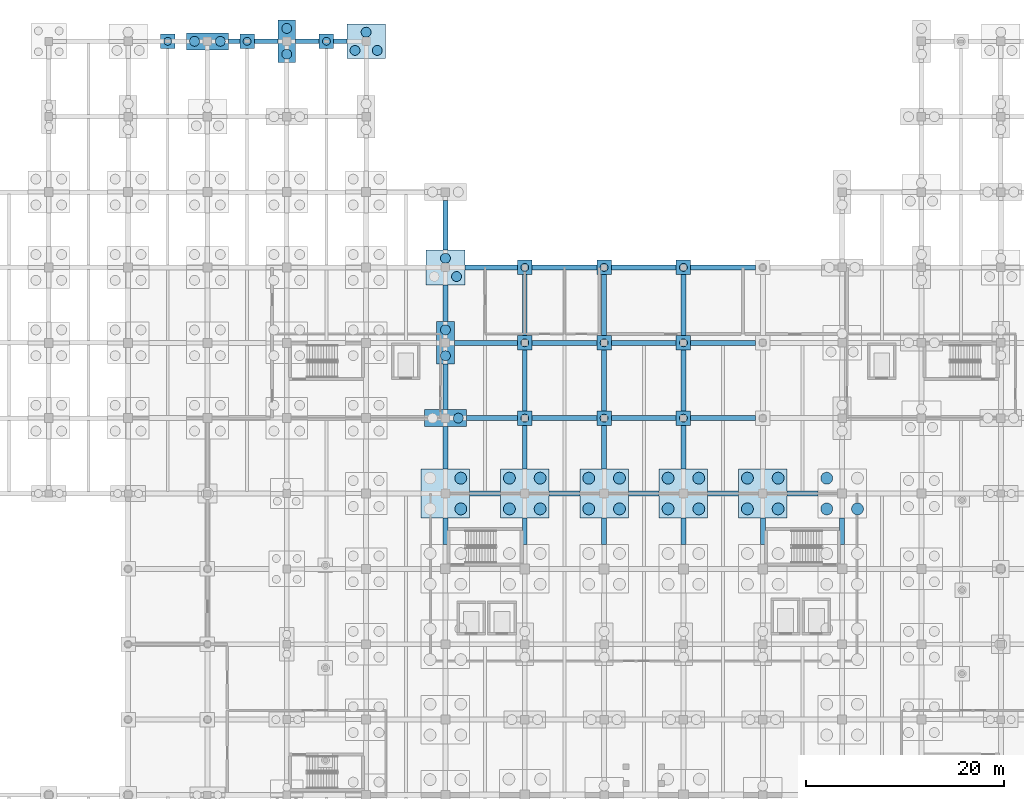
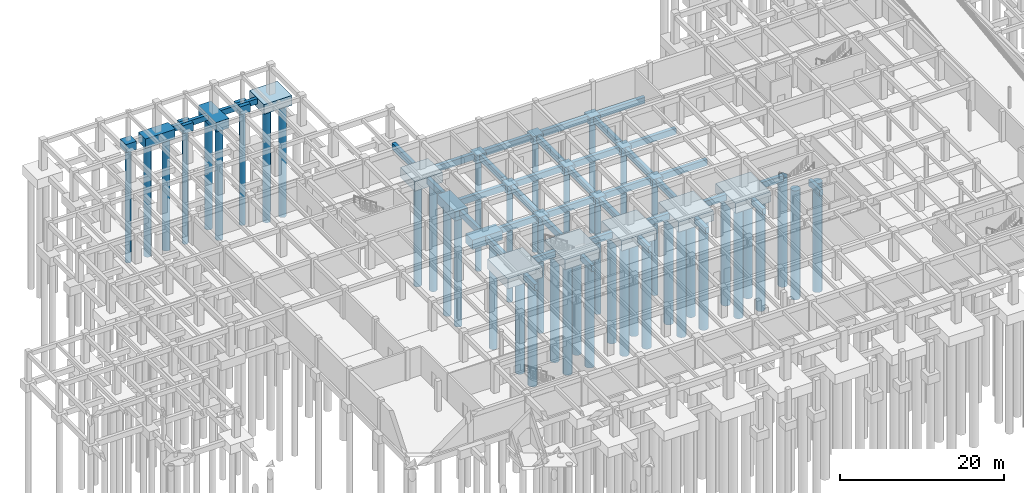
# One storey, part 10 of 49: 61 footings, 45 piles.
"""IFC4 building model written with IfcOpenShell, lengths in metres."""

from ifc_helpers import new_model, si_unit, direction, frame, origin, origin_2d, place, context, subcontext, project, spatial, rectangle, circle, extrude, material, layer, layer_set, material_profile, profile_set, type_object, element, save


model = new_model("IFC4")

# Units and contexts
model_context = context("Model", 3, precision=1e-05, world=origin(), true_north=direction((0.0, 1.0)))
body_context = subcontext(model_context, "Body", "Model", "MODEL_VIEW")
ifc_project = project(units=[si_unit("LENGTHUNIT", "METRE"), si_unit("AREAUNIT", "SQUARE_METRE"), si_unit("VOLUMEUNIT", "CUBIC_METRE"), si_unit("PLANEANGLEUNIT", "RADIAN"), si_unit("MASSUNIT", "GRAM", prefix="KILO")], contexts=[model_context])

# Site, building, storey
site_placement = place(None, origin())
site = spatial("IfcSite", under=ifc_project, at=site_placement, CompositionType="ELEMENT")
building_placement = place(site_placement, origin())
building = spatial("IfcBuilding", under=site, at=building_placement, Name="Zantavel Square City Hall", CompositionType="ELEMENT")
storey_placement = place(building_placement, frame((0.0, 0.0, -4.5)))
storey = spatial("IfcBuildingStorey", under=building, at=storey_placement, Name="B1", CompositionType="ELEMENT", Elevation=-4.5)

# Piles
ifc_material_1 = material(Name="Concrete C35/45", Category="concrete")
ifc_material_profile_1 = material_profile(ifc_material_1, circle(Radius=0.5, at=origin_2d()), Name="PILE D1000")
ifc_profile_set_1 = profile_set([ifc_material_profile_1], Name="Concrete C35/45")
pile_type_1 = type_object("IfcPileType", Name="Bored Pile D1000 Concrete C35/45", PredefinedType="BORED", material=ifc_profile_set_1)
for number, where, z_axis, x_axis, name in (
    (1, (38.699951171875, 114.0, -1.300048828125), (0.0, 0.0, -1.0), (1.0, 0.0, 0.0), "Bored Pile FDN-PL-0400-1140-1"),
    (2, (41.300048828125, 114.0, -1.300048828125), (0.0, 0.0, -1.0), (1.0, 0.0, 0.0), "Bored Pile FDN-PL-0400-1140-2"),
    (3, (48.0, 112.699951171875, -1.300048828125), (0.0, 0.0, -1.0), (1.0, 0.0, 0.0), "Bored Pile FDN-PL-0480-1140-1"),
    (4, (48.0, 115.300048828125, -1.300048828125), (0.0, 0.0, -1.0), (1.0, 0.0, 0.0), "Bored Pile FDN-PL-0480-1140-2"),
):
    element("IfcPile", number, at=place(storey_placement, frame(where, z_axis=z_axis, x_axis=x_axis)), inside=storey, type_object=pile_type_1, Name=name, PredefinedType="BORED", context=body_context, shape_type="SweptSolid", body=[
        extrude(circle(Radius=0.5, at=origin_2d()), origin(), (0.0, 0.0, 1.0), 16.699951171875),
    ])
for number, where, z_axis, x_axis, name in (
    (5, (54.8798828125, 113.080078125, -1.35009765625), (0.0, 0.0, -1.0), (1.0, 0.0, 0.0), "Bored Pile FDN-PL-0560-1140-1"),
    (6, (57.1201171875, 113.080078125, -1.35009765625), (0.0, 0.0, -1.0), (1.0, 0.0, 0.0), "Bored Pile FDN-PL-0560-1140-2"),
    (7, (56.0, 114.919921875, -1.35009765625), (0.0, 0.0, -1.0), (1.0, 0.0, 0.0), "Bored Pile FDN-PL-0560-1140-3"),
):
    element("IfcPile", number, at=place(storey_placement, frame(where, z_axis=z_axis, x_axis=x_axis)), inside=storey, type_object=pile_type_1, Name=name, PredefinedType="BORED", context=body_context, shape_type="SweptSolid", body=[
        extrude(circle(Radius=0.5, at=origin_2d()), origin(), (0.0, 0.0, 1.0), 16.64990234375),
    ])
for number, where, z_axis, x_axis, name in (
    (8, (65.300048828125, 76.0, -1.699951171875), (0.0, 0.0, -1.0), (1.0, 0.0, 0.0), "Bored Pile FDN-PL-0640-0760-2"),
    (9, (64.0, 82.300048828125, -1.699951171875), (0.0, 0.0, -1.0), (1.0, 0.0, 0.0), "Bored Pile FDN-PL-0640-0836-1"),
    (10, (64.0, 84.89990234375, -1.699951171875), (0.0, 0.0, -1.0), (1.0, 0.0, 0.0), "Bored Pile FDN-PL-0640-0836-2"),
):
    element("IfcPile", number, at=place(storey_placement, frame(where, z_axis=z_axis, x_axis=x_axis)), inside=storey, type_object=pile_type_1, Name=name, PredefinedType="BORED", context=body_context, shape_type="SweptSolid", body=[
        extrude(circle(Radius=0.5, at=origin_2d()), origin(), (0.0, 0.0, 1.0), 16.300048828125),
    ])
for number, where, z_axis, x_axis, name in (
    (11, (65.1201171875, 90.280029296875, -1.75), (0.0, 0.0, -1.0), (1.0, 0.0, 0.0), "Bored Pile FDN-PL-0640-0912-2"),
    (12, (64.0, 92.1201171875, -1.75), (0.0, 0.0, -1.0), (1.0, 0.0, 0.0), "Bored Pile FDN-PL-0640-0912-3"),
):
    element("IfcPile", number, at=place(storey_placement, frame(where, z_axis=z_axis, x_axis=x_axis)), inside=storey, type_object=pile_type_1, Name=name, PredefinedType="BORED", context=body_context, shape_type="SweptSolid", body=[
        extrude(circle(Radius=0.5, at=origin_2d()), origin(), (0.0, 0.0, 1.0), 16.25),
    ])
ifc_material_profile_2 = material_profile(ifc_material_1, circle(Radius=0.60009765625, at=origin_2d()), Name="PILE D1200")
ifc_profile_set_2 = profile_set([ifc_material_profile_2], Name="Concrete C35/45")
pile_type_2 = type_object("IfcPileType", Name="Bored Pile D1200 Concrete C35/45", PredefinedType="BORED", material=ifc_profile_set_2)
for number, where, z_axis, x_axis, name in (
    (13, (65.550048828125, 66.85009765625, -1.800048828125), (0.0, 0.0, -1.0), (1.0, 0.0, 0.0), "Bored Pile FDN-PL-0640-0684-2"),
    (14, (65.550048828125, 69.949951171875, -1.800048828125), (0.0, 0.0, -1.0), (1.0, 0.0, 0.0), "Bored Pile FDN-PL-0640-0684-4"),
    (15, (70.449951171875, 66.85009765625, -1.800048828125), (0.0, 0.0, -1.0), (1.0, 0.0, 0.0), "Bored Pile FDN-PL-0720-0684-1"),
    (16, (73.550048828125, 66.85009765625, -1.800048828125), (0.0, 0.0, -1.0), (1.0, 0.0, 0.0), "Bored Pile FDN-PL-0720-0684-2"),
    (17, (70.449951171875, 69.949951171875, -1.800048828125), (0.0, 0.0, -1.0), (1.0, 0.0, 0.0), "Bored Pile FDN-PL-0720-0684-3"),
    (18, (73.550048828125, 69.949951171875, -1.800048828125), (0.0, 0.0, -1.0), (1.0, 0.0, 0.0), "Bored Pile FDN-PL-0720-0684-4"),
    (19, (78.449951171875, 66.85009765625, -1.800048828125), (0.0, 0.0, -1.0), (1.0, 0.0, 0.0), "Bored Pile FDN-PL-0800-0684-1"),
    (20, (81.550048828125, 66.85009765625, -1.800048828125), (0.0, 0.0, -1.0), (1.0, 0.0, 0.0), "Bored Pile FDN-PL-0800-0684-2"),
    (21, (78.449951171875, 69.949951171875, -1.800048828125), (0.0, 0.0, -1.0), (1.0, 0.0, 0.0), "Bored Pile FDN-PL-0800-0684-3"),
    (22, (81.550048828125, 69.949951171875, -1.800048828125), (0.0, 0.0, -1.0), (1.0, 0.0, 0.0), "Bored Pile FDN-PL-0800-0684-4"),
    (23, (86.449951171875, 66.85009765625, -1.800048828125), (0.0, 0.0, -1.0), (1.0, 0.0, 0.0), "Bored Pile FDN-PL-0880-0684-1"),
    (24, (89.550048828125, 66.85009765625, -1.800048828125), (0.0, 0.0, -1.0), (1.0, 0.0, 0.0), "Bored Pile FDN-PL-0880-0684-2"),
    (25, (86.449951171875, 69.949951171875, -1.800048828125), (0.0, 0.0, -1.0), (1.0, 0.0, 0.0), "Bored Pile FDN-PL-0880-0684-3"),
    (26, (89.550048828125, 69.949951171875, -1.800048828125), (0.0, 0.0, -1.0), (1.0, 0.0, 0.0), "Bored Pile FDN-PL-0880-0684-4"),
    (27, (94.449951171875, 66.85009765625, -1.800048828125), (0.0, 0.0, -1.0), (1.0, 0.0, 0.0), "Bored Pile FDN-PL-0960-0684-1"),
    (28, (97.550048828125, 66.85009765625, -1.800048828125), (0.0, 0.0, -1.0), (1.0, 0.0, 0.0), "Bored Pile FDN-PL-0960-0684-2"),
    (29, (94.449951171875, 69.949951171875, -1.800048828125), (0.0, 0.0, -1.0), (1.0, 0.0, 0.0), "Bored Pile FDN-PL-0960-0684-3"),
    (30, (97.550048828125, 69.949951171875, -1.800048828125), (0.0, 0.0, -1.0), (1.0, 0.0, 0.0), "Bored Pile FDN-PL-0960-0684-4"),
    (31, (102.449951171875, 66.85009765625, -1.800048828125), (0.0, 0.0, -1.0), (1.0, 0.0, 0.0), "Bored Pile FDN-PL-1040-0684-1"),
    (32, (105.550048828125, 66.85009765625, -1.800048828125), (0.0, 0.0, -1.0), (1.0, 0.0, 0.0), "Bored Pile FDN-PL-1040-0684-2"),
    (33, (102.449951171875, 69.949951171875, -1.800048828125), (0.0, 0.0, -1.0), (1.0, 0.0, 0.0), "Bored Pile FDN-PL-1040-0684-3"),
):
    element("IfcPile", number, at=place(storey_placement, frame(where, z_axis=z_axis, x_axis=x_axis)), inside=storey, type_object=pile_type_2, Name=name, PredefinedType="BORED", context=body_context, shape_type="SweptSolid", body=[
        extrude(circle(Radius=0.60009765625, at=origin_2d()), origin(), (0.0, 0.0, 1.0), 16.199951171875),
    ])
ifc_material_profile_3 = material_profile(ifc_material_1, circle(Radius=0.39990234375, at=origin_2d()), Name="PILE D800")
ifc_profile_set_3 = profile_set([ifc_material_profile_3], Name="Concrete C35/45")
pile_type_3 = type_object("IfcPileType", Name="Bored Pile D800 Concrete C35/45", PredefinedType="BORED", material=ifc_profile_set_3)
for number, where, z_axis, x_axis, name in (
    (34, (72.0, 76.0, -1.5), (0.0, 0.0, -1.0), (1.0, 0.0, 0.0), "Bored Pile FDN-PL-0720-0760-1"),
    (35, (72.0, 83.60009765625, -1.5), (0.0, 0.0, -1.0), (1.0, 0.0, 0.0), "Bored Pile FDN-PL-0720-0836-1"),
    (36, (72.0, 91.199951171875, -1.5), (0.0, 0.0, -1.0), (1.0, 0.0, 0.0), "Bored Pile FDN-PL-0720-0912-1"),
    (37, (80.0, 76.0, -1.5), (0.0, 0.0, -1.0), (1.0, 0.0, 0.0), "Bored Pile FDN-PL-0800-0760-1"),
    (38, (80.0, 83.60009765625, -1.5), (0.0, 0.0, -1.0), (1.0, 0.0, 0.0), "Bored Pile FDN-PL-0800-0836-1"),
    (39, (80.0, 91.199951171875, -1.5), (0.0, 0.0, -1.0), (1.0, 0.0, 0.0), "Bored Pile FDN-PL-0800-0912-1"),
    (40, (88.0, 76.0, -1.5), (0.0, 0.0, -1.0), (1.0, 0.0, 0.0), "Bored Pile FDN-PL-0880-0760-1"),
    (41, (88.0, 83.60009765625, -1.5), (0.0, 0.0, -1.0), (1.0, 0.0, 0.0), "Bored Pile FDN-PL-0880-0836-1"),
    (42, (88.0, 91.199951171875, -1.5), (0.0, 0.0, -1.0), (1.0, 0.0, 0.0), "Bored Pile FDN-PL-0880-0912-1"),
):
    element("IfcPile", number, at=place(storey_placement, frame(where, z_axis=z_axis, x_axis=x_axis)), inside=storey, type_object=pile_type_3, Name=name, PredefinedType="BORED", context=body_context, shape_type="SweptSolid", body=[
        extrude(circle(Radius=0.39990234375, at=origin_2d()), origin(), (0.0, 0.0, 1.0), 16.5),
    ])
for number, where, z_axis, x_axis, name in (
    (43, (36.0, 114.0, -1.10009765625), (0.0, 0.0, -1.0), (1.0, 0.0, 0.0), "Pilaster Bored Pile FDN-PLPIL-0360-1140"),
    (44, (44.0, 114.0, -1.10009765625), (0.0, 0.0, -1.0), (1.0, 0.0, 0.0), "Pilaster Bored Pile FDN-PLPIL-0440-1140"),
    (45, (52.0, 114.0, -1.10009765625), (0.0, 0.0, -1.0), (1.0, 0.0, 0.0), "Pilaster Bored Pile FDN-PLPIL-0520-1140"),
):
    element("IfcPile", number, at=place(storey_placement, frame(where, z_axis=z_axis, x_axis=x_axis)), inside=storey, type_object=pile_type_3, Name=name, PredefinedType="BORED", context=body_context, shape_type="SweptSolid", body=[
        extrude(circle(Radius=0.39990234375, at=origin_2d()), origin(), (0.0, 0.0, 1.0), 16.89990234375),
    ])

# Footings
ifc_material_profile_4 = material_profile(ifc_material_1, rectangle(XDim=0.449951171875, YDim=0.800048828125, at=origin_2d()), Name="RC 450x800")
ifc_profile_set_4 = profile_set([ifc_material_profile_4], Name="Concrete C35/45")
footing_type_1 = type_object("IfcFootingType", Name="Courtyard Grade Tie Beam 450x800 C35/45", PredefinedType="FOOTING_BEAM", material=ifc_profile_set_4)
footing_1_placement = place(storey_placement, frame((42.10009765625, 114.0, -0.39990234375), z_axis=(1.0, 0.0, 0.0), x_axis=(0.0, 1.0, 0.0)))
element("IfcFooting", 46, at=footing_1_placement, inside=storey, type_object=footing_type_1, Name="Grade Tie Beam FDN-GTBX-0400-1140", PredefinedType="FOOTING_BEAM", context=body_context, shape_type="SweptSolid", body=[
    extrude(rectangle(XDim=0.449951171875, YDim=0.800048828125, at=origin_2d()), origin(), (0.0, 0.0, 1.0), 5.0),
])
footing_2_placement = place(storey_placement, frame((48.89990234375, 114.0, -0.39990234375), z_axis=(1.0, 0.0, 0.0), x_axis=(0.0, 1.0, 0.0)))
element("IfcFooting", 47, at=footing_2_placement, inside=storey, type_object=footing_type_1, Name="Grade Tie Beam FDN-GTBX-0480-1140", PredefinedType="FOOTING_BEAM", context=body_context, shape_type="SweptSolid", body=[
    extrude(rectangle(XDim=0.449951171875, YDim=0.800048828125, at=origin_2d()), origin(), (0.0, 0.0, 1.0), 5.150146484375),
])
ifc_material_profile_5 = material_profile(ifc_material_1, rectangle(XDim=0.5, YDim=0.89990234375, at=origin_2d()), Name="RC 500x900")
ifc_profile_set_5 = profile_set([ifc_material_profile_5], Name="Concrete C35/45")
footing_type_2 = type_object("IfcFootingType", Name="Grade Tie Beam 500x900 Concrete C35/45", PredefinedType="FOOTING_BEAM", material=ifc_profile_set_5)
footing_3_placement = place(storey_placement, frame((64.0, 63.25, -0.85009765625), z_axis=(0.0, 1.0, 0.0), x_axis=(-1.0, 0.0, 0.0)))
element("IfcFooting", 48, at=footing_3_placement, inside=storey, type_object=footing_type_2, Name="Grade Tie Beam FDN-GTBY-0640-0608", PredefinedType="FOOTING_BEAM", context=body_context, shape_type="SweptSolid", body=[
    extrude(rectangle(XDim=0.5, YDim=0.89990234375, at=origin_2d()), origin(), (0.0, 0.0, 1.0), 2.699951171875),
])
footing_4_placement = place(storey_placement, frame((66.449951171875, 68.39990234375, -0.85009765625), z_axis=(1.0, 0.0, 0.0), x_axis=(0.0, 1.0, 0.0)))
element("IfcFooting", 49, at=footing_4_placement, inside=storey, type_object=footing_type_2, Name="Grade Tie Beam FDN-GTBX-0640-0684", PredefinedType="FOOTING_BEAM", context=body_context, shape_type="SweptSolid", body=[
    extrude(rectangle(XDim=0.5, YDim=0.89990234375, at=origin_2d()), origin(), (0.0, 0.0, 1.0), 3.10009765625),
])
footing_5_placement = place(storey_placement, frame((64.0, 70.85009765625, -0.85009765625), z_axis=(0.0, 1.0, 0.0), x_axis=(-1.0, 0.0, 0.0)))
element("IfcFooting", 50, at=footing_5_placement, inside=storey, type_object=footing_type_2, Name="Grade Tie Beam FDN-GTBY-0640-0684", PredefinedType="FOOTING_BEAM", context=body_context, shape_type="SweptSolid", body=[
    extrude(rectangle(XDim=0.5, YDim=0.89990234375, at=origin_2d()), origin(), (0.0, 0.0, 1.0), 4.2998046875),
])
footing_6_placement = place(storey_placement, frame((66.10009765625, 76.0, -0.85009765625), z_axis=(1.0, 0.0, 0.0), x_axis=(0.0, 1.0, 0.0)))
element("IfcFooting", 51, at=footing_6_placement, inside=storey, type_object=footing_type_2, Name="Grade Tie Beam FDN-GTBX-0640-0760", PredefinedType="FOOTING_BEAM", context=body_context, shape_type="SweptSolid", body=[
    extrude(rectangle(XDim=0.5, YDim=0.89990234375, at=origin_2d()), origin(), (0.0, 0.0, 1.0), 5.1748046875),
])
footing_7_placement = place(storey_placement, frame((64.0, 76.85009765625, -0.85009765625), z_axis=(0.0, 1.0, 0.0), x_axis=(-1.0, 0.0, 0.0)))
element("IfcFooting", 52, at=footing_7_placement, inside=storey, type_object=footing_type_2, Name="Grade Tie Beam FDN-GTBY-0640-0760", PredefinedType="FOOTING_BEAM", context=body_context, shape_type="SweptSolid", body=[
    extrude(rectangle(XDim=0.5, YDim=0.89990234375, at=origin_2d()), origin(), (0.0, 0.0, 1.0), 4.599853515625),
])
footing_8_placement = place(storey_placement, frame((64.89990234375, 83.60009765625, -0.85009765625), z_axis=(1.0, 0.0, 0.0), x_axis=(0.0, 1.0, 0.0)))
element("IfcFooting", 53, at=footing_8_placement, inside=storey, type_object=footing_type_2, Name="Grade Tie Beam FDN-GTBX-0640-0836", PredefinedType="FOOTING_BEAM", context=body_context, shape_type="SweptSolid", body=[
    extrude(rectangle(XDim=0.5, YDim=0.89990234375, at=origin_2d()), origin(), (0.0, 0.0, 1.0), 6.375),
])
footing_9_placement = place(storey_placement, frame((64.0, 85.75, -0.85009765625), z_axis=(0.0, 1.0, 0.0), x_axis=(-1.0, 0.0, 0.0)))
element("IfcFooting", 54, at=footing_9_placement, inside=storey, type_object=footing_type_2, Name="Grade Tie Beam FDN-GTBY-0640-0836", PredefinedType="FOOTING_BEAM", context=body_context, shape_type="SweptSolid", body=[
    extrude(rectangle(XDim=0.5, YDim=0.89990234375, at=origin_2d()), origin(), (0.0, 0.0, 1.0), 3.699951171875),
])
footing_10_placement = place(storey_placement, frame((65.949951171875, 91.199951171875, -0.85009765625), z_axis=(1.0, 0.0, 0.0), x_axis=(0.0, 1.0, 0.0)))
element("IfcFooting", 55, at=footing_10_placement, inside=storey, type_object=footing_type_2, Name="Grade Tie Beam FDN-GTBX-0640-0912", PredefinedType="FOOTING_BEAM", context=body_context, shape_type="SweptSolid", body=[
    extrude(rectangle(XDim=0.5, YDim=0.89990234375, at=origin_2d()), origin(), (0.0, 0.0, 1.0), 5.324951171875),
])
footing_11_placement = place(storey_placement, frame((64.0, 92.949951171875, -0.85009765625), z_axis=(0.0, 1.0, 0.0), x_axis=(-1.0, 0.0, 0.0)))
element("IfcFooting", 56, at=footing_11_placement, inside=storey, type_object=footing_type_2, Name="Grade Tie Beam FDN-GTBY-0640-0912", PredefinedType="FOOTING_BEAM", context=body_context, shape_type="SweptSolid", body=[
    extrude(rectangle(XDim=0.5, YDim=0.89990234375, at=origin_2d()), origin(), (0.0, 0.0, 1.0), 5.0),
])
footing_12_placement = place(storey_placement, frame((72.0, 63.25, -0.85009765625), z_axis=(0.0, 1.0, 0.0), x_axis=(-1.0, 0.0, 0.0)))
element("IfcFooting", 57, at=footing_12_placement, inside=storey, type_object=footing_type_2, Name="Grade Tie Beam FDN-GTBY-0720-0608", PredefinedType="FOOTING_BEAM", context=body_context, shape_type="SweptSolid", body=[
    extrude(rectangle(XDim=0.5, YDim=0.89990234375, at=origin_2d()), origin(), (0.0, 0.0, 1.0), 2.699951171875),
])
footing_13_placement = place(storey_placement, frame((74.449951171875, 68.39990234375, -0.85009765625), z_axis=(1.0, 0.0, 0.0), x_axis=(0.0, 1.0, 0.0)))
element("IfcFooting", 58, at=footing_13_placement, inside=storey, type_object=footing_type_2, Name="Grade Tie Beam FDN-GTBX-0720-0684", PredefinedType="FOOTING_BEAM", context=body_context, shape_type="SweptSolid", body=[
    extrude(rectangle(XDim=0.5, YDim=0.89990234375, at=origin_2d()), origin(), (0.0, 0.0, 1.0), 3.10009765625),
])
footing_14_placement = place(storey_placement, frame((72.0, 70.85009765625, -0.85009765625), z_axis=(0.0, 1.0, 0.0), x_axis=(-1.0, 0.0, 0.0)))
element("IfcFooting", 59, at=footing_14_placement, inside=storey, type_object=footing_type_2, Name="Grade Tie Beam FDN-GTBY-0720-0684", PredefinedType="FOOTING_BEAM", context=body_context, shape_type="SweptSolid", body=[
    extrude(rectangle(XDim=0.5, YDim=0.89990234375, at=origin_2d()), origin(), (0.0, 0.0, 1.0), 4.4248046875),
])
footing_15_placement = place(storey_placement, frame((72.72509765625, 76.0, -0.85009765625), z_axis=(1.0, 0.0, 0.0), x_axis=(0.0, 1.0, 0.0)))
element("IfcFooting", 60, at=footing_15_placement, inside=storey, type_object=footing_type_2, Name="Grade Tie Beam FDN-GTBX-0720-0760", PredefinedType="FOOTING_BEAM", context=body_context, shape_type="SweptSolid", body=[
    extrude(rectangle(XDim=0.5, YDim=0.89990234375, at=origin_2d()), origin(), (0.0, 0.0, 1.0), 6.5498046875),
])
footing_16_placement = place(storey_placement, frame((72.0, 76.72509765625, -0.85009765625), z_axis=(0.0, 1.0, 0.0), x_axis=(-1.0, 0.0, 0.0)))
element("IfcFooting", 61, at=footing_16_placement, inside=storey, type_object=footing_type_2, Name="Grade Tie Beam FDN-GTBY-0720-0760", PredefinedType="FOOTING_BEAM", context=body_context, shape_type="SweptSolid", body=[
    extrude(rectangle(XDim=0.5, YDim=0.89990234375, at=origin_2d()), origin(), (0.0, 0.0, 1.0), 6.14990234375),
])
footing_17_placement = place(storey_placement, frame((72.72509765625, 83.60009765625, -0.85009765625), z_axis=(1.0, 0.0, 0.0), x_axis=(0.0, 1.0, 0.0)))
element("IfcFooting", 62, at=footing_17_placement, inside=storey, type_object=footing_type_2, Name="Grade Tie Beam FDN-GTBX-0720-0836", PredefinedType="FOOTING_BEAM", context=body_context, shape_type="SweptSolid", body=[
    extrude(rectangle(XDim=0.5, YDim=0.89990234375, at=origin_2d()), origin(), (0.0, 0.0, 1.0), 6.5498046875),
])
footing_18_placement = place(storey_placement, frame((72.0, 84.324951171875, -0.85009765625), z_axis=(0.0, 1.0, 0.0), x_axis=(-1.0, 0.0, 0.0)))
element("IfcFooting", 63, at=footing_18_placement, inside=storey, type_object=footing_type_2, Name="Grade Tie Beam FDN-GTBY-0720-0836", PredefinedType="FOOTING_BEAM", context=body_context, shape_type="SweptSolid", body=[
    extrude(rectangle(XDim=0.5, YDim=0.89990234375, at=origin_2d()), origin(), (0.0, 0.0, 1.0), 6.150146484375),
])
footing_19_placement = place(storey_placement, frame((72.72509765625, 91.199951171875, -0.85009765625), z_axis=(1.0, 0.0, 0.0), x_axis=(0.0, 1.0, 0.0)))
element("IfcFooting", 64, at=footing_19_placement, inside=storey, type_object=footing_type_2, Name="Grade Tie Beam FDN-GTBX-0720-0912", PredefinedType="FOOTING_BEAM", context=body_context, shape_type="SweptSolid", body=[
    extrude(rectangle(XDim=0.5, YDim=0.89990234375, at=origin_2d()), origin(), (0.0, 0.0, 1.0), 6.5498046875),
])
footing_20_placement = place(storey_placement, frame((80.0, 63.25, -0.85009765625), z_axis=(0.0, 1.0, 0.0), x_axis=(-1.0, 0.0, 0.0)))
element("IfcFooting", 65, at=footing_20_placement, inside=storey, type_object=footing_type_2, Name="Grade Tie Beam FDN-GTBY-0800-0608", PredefinedType="FOOTING_BEAM", context=body_context, shape_type="SweptSolid", body=[
    extrude(rectangle(XDim=0.5, YDim=0.89990234375, at=origin_2d()), origin(), (0.0, 0.0, 1.0), 2.699951171875),
])
footing_21_placement = place(storey_placement, frame((82.449951171875, 68.39990234375, -0.85009765625), z_axis=(1.0, 0.0, 0.0), x_axis=(0.0, 1.0, 0.0)))
element("IfcFooting", 66, at=footing_21_placement, inside=storey, type_object=footing_type_2, Name="Grade Tie Beam FDN-GTBX-0800-0684", PredefinedType="FOOTING_BEAM", context=body_context, shape_type="SweptSolid", body=[
    extrude(rectangle(XDim=0.5, YDim=0.89990234375, at=origin_2d()), origin(), (0.0, 0.0, 1.0), 3.10009765625),
])
footing_22_placement = place(storey_placement, frame((80.0, 70.85009765625, -0.85009765625), z_axis=(0.0, 1.0, 0.0), x_axis=(-1.0, 0.0, 0.0)))
element("IfcFooting", 67, at=footing_22_placement, inside=storey, type_object=footing_type_2, Name="Grade Tie Beam FDN-GTBY-0800-0684", PredefinedType="FOOTING_BEAM", context=body_context, shape_type="SweptSolid", body=[
    extrude(rectangle(XDim=0.5, YDim=0.89990234375, at=origin_2d()), origin(), (0.0, 0.0, 1.0), 4.4248046875),
])
footing_23_placement = place(storey_placement, frame((80.72509765625, 76.0, -0.85009765625), z_axis=(1.0, 0.0, 0.0), x_axis=(0.0, 1.0, 0.0)))
element("IfcFooting", 68, at=footing_23_placement, inside=storey, type_object=footing_type_2, Name="Grade Tie Beam FDN-GTBX-0800-0760", PredefinedType="FOOTING_BEAM", context=body_context, shape_type="SweptSolid", body=[
    extrude(rectangle(XDim=0.5, YDim=0.89990234375, at=origin_2d()), origin(), (0.0, 0.0, 1.0), 6.5498046875),
])
footing_24_placement = place(storey_placement, frame((80.0, 76.72509765625, -0.85009765625), z_axis=(0.0, 1.0, 0.0), x_axis=(-1.0, 0.0, 0.0)))
element("IfcFooting", 69, at=footing_24_placement, inside=storey, type_object=footing_type_2, Name="Grade Tie Beam FDN-GTBY-0800-0760", PredefinedType="FOOTING_BEAM", context=body_context, shape_type="SweptSolid", body=[
    extrude(rectangle(XDim=0.5, YDim=0.89990234375, at=origin_2d()), origin(), (0.0, 0.0, 1.0), 6.14990234375),
])
footing_25_placement = place(storey_placement, frame((80.72509765625, 83.60009765625, -0.85009765625), z_axis=(1.0, 0.0, 0.0), x_axis=(0.0, 1.0, 0.0)))
element("IfcFooting", 70, at=footing_25_placement, inside=storey, type_object=footing_type_2, Name="Grade Tie Beam FDN-GTBX-0800-0836", PredefinedType="FOOTING_BEAM", context=body_context, shape_type="SweptSolid", body=[
    extrude(rectangle(XDim=0.5, YDim=0.89990234375, at=origin_2d()), origin(), (0.0, 0.0, 1.0), 6.5498046875),
])
footing_26_placement = place(storey_placement, frame((80.0, 84.324951171875, -0.85009765625), z_axis=(0.0, 1.0, 0.0), x_axis=(-1.0, 0.0, 0.0)))
element("IfcFooting", 71, at=footing_26_placement, inside=storey, type_object=footing_type_2, Name="Grade Tie Beam FDN-GTBY-0800-0836", PredefinedType="FOOTING_BEAM", context=body_context, shape_type="SweptSolid", body=[
    extrude(rectangle(XDim=0.5, YDim=0.89990234375, at=origin_2d()), origin(), (0.0, 0.0, 1.0), 6.150146484375),
])
footing_27_placement = place(storey_placement, frame((80.72509765625, 91.199951171875, -0.85009765625), z_axis=(1.0, 0.0, 0.0), x_axis=(0.0, 1.0, 0.0)))
element("IfcFooting", 72, at=footing_27_placement, inside=storey, type_object=footing_type_2, Name="Grade Tie Beam FDN-GTBX-0800-0912", PredefinedType="FOOTING_BEAM", context=body_context, shape_type="SweptSolid", body=[
    extrude(rectangle(XDim=0.5, YDim=0.89990234375, at=origin_2d()), origin(), (0.0, 0.0, 1.0), 6.5498046875),
])
footing_28_placement = place(storey_placement, frame((88.0, 63.25, -0.85009765625), z_axis=(0.0, 1.0, 0.0), x_axis=(-1.0, 0.0, 0.0)))
element("IfcFooting", 73, at=footing_28_placement, inside=storey, type_object=footing_type_2, Name="Grade Tie Beam FDN-GTBY-0880-0608", PredefinedType="FOOTING_BEAM", context=body_context, shape_type="SweptSolid", body=[
    extrude(rectangle(XDim=0.5, YDim=0.89990234375, at=origin_2d()), origin(), (0.0, 0.0, 1.0), 2.699951171875),
])
footing_29_placement = place(storey_placement, frame((90.449951171875, 68.39990234375, -0.85009765625), z_axis=(1.0, 0.0, 0.0), x_axis=(0.0, 1.0, 0.0)))
element("IfcFooting", 74, at=footing_29_placement, inside=storey, type_object=footing_type_2, Name="Grade Tie Beam FDN-GTBX-0880-0684", PredefinedType="FOOTING_BEAM", context=body_context, shape_type="SweptSolid", body=[
    extrude(rectangle(XDim=0.5, YDim=0.89990234375, at=origin_2d()), origin(), (0.0, 0.0, 1.0), 3.10009765625),
])
footing_30_placement = place(storey_placement, frame((88.0, 70.85009765625, -0.85009765625), z_axis=(0.0, 1.0, 0.0), x_axis=(-1.0, 0.0, 0.0)))
element("IfcFooting", 75, at=footing_30_placement, inside=storey, type_object=footing_type_2, Name="Grade Tie Beam FDN-GTBY-0880-0684", PredefinedType="FOOTING_BEAM", context=body_context, shape_type="SweptSolid", body=[
    extrude(rectangle(XDim=0.5, YDim=0.89990234375, at=origin_2d()), origin(), (0.0, 0.0, 1.0), 4.4248046875),
])
footing_31_placement = place(storey_placement, frame((88.72509765625, 76.0, -0.85009765625), z_axis=(1.0, 0.0, 0.0), x_axis=(0.0, 1.0, 0.0)))
element("IfcFooting", 76, at=footing_31_placement, inside=storey, type_object=footing_type_2, Name="Grade Tie Beam FDN-GTBX-0880-0760", PredefinedType="FOOTING_BEAM", context=body_context, shape_type="SweptSolid", body=[
    extrude(rectangle(XDim=0.5, YDim=0.89990234375, at=origin_2d()), origin(), (0.0, 0.0, 1.0), 6.5498046875),
])
footing_32_placement = place(storey_placement, frame((88.0, 76.72509765625, -0.85009765625), z_axis=(0.0, 1.0, 0.0), x_axis=(-1.0, 0.0, 0.0)))
element("IfcFooting", 77, at=footing_32_placement, inside=storey, type_object=footing_type_2, Name="Grade Tie Beam FDN-GTBY-0880-0760", PredefinedType="FOOTING_BEAM", context=body_context, shape_type="SweptSolid", body=[
    extrude(rectangle(XDim=0.5, YDim=0.89990234375, at=origin_2d()), origin(), (0.0, 0.0, 1.0), 6.14990234375),
])
footing_33_placement = place(storey_placement, frame((88.72509765625, 83.60009765625, -0.85009765625), z_axis=(1.0, 0.0, 0.0), x_axis=(0.0, 1.0, 0.0)))
element("IfcFooting", 78, at=footing_33_placement, inside=storey, type_object=footing_type_2, Name="Grade Tie Beam FDN-GTBX-0880-0836", PredefinedType="FOOTING_BEAM", context=body_context, shape_type="SweptSolid", body=[
    extrude(rectangle(XDim=0.5, YDim=0.89990234375, at=origin_2d()), origin(), (0.0, 0.0, 1.0), 6.5498046875),
])
footing_34_placement = place(storey_placement, frame((88.0, 84.324951171875, -0.85009765625), z_axis=(0.0, 1.0, 0.0), x_axis=(-1.0, 0.0, 0.0)))
element("IfcFooting", 79, at=footing_34_placement, inside=storey, type_object=footing_type_2, Name="Grade Tie Beam FDN-GTBY-0880-0836", PredefinedType="FOOTING_BEAM", context=body_context, shape_type="SweptSolid", body=[
    extrude(rectangle(XDim=0.5, YDim=0.89990234375, at=origin_2d()), origin(), (0.0, 0.0, 1.0), 6.150146484375),
])
footing_35_placement = place(storey_placement, frame((88.72509765625, 91.199951171875, -0.85009765625), z_axis=(1.0, 0.0, 0.0), x_axis=(0.0, 1.0, 0.0)))
element("IfcFooting", 80, at=footing_35_placement, inside=storey, type_object=footing_type_2, Name="Grade Tie Beam FDN-GTBX-0880-0912", PredefinedType="FOOTING_BEAM", context=body_context, shape_type="SweptSolid", body=[
    extrude(rectangle(XDim=0.5, YDim=0.89990234375, at=origin_2d()), origin(), (0.0, 0.0, 1.0), 6.5498046875),
])
footing_36_placement = place(storey_placement, frame((96.0, 63.25, -0.85009765625), z_axis=(0.0, 1.0, 0.0), x_axis=(-1.0, 0.0, 0.0)))
element("IfcFooting", 81, at=footing_36_placement, inside=storey, type_object=footing_type_2, Name="Grade Tie Beam FDN-GTBY-0960-0608", PredefinedType="FOOTING_BEAM", context=body_context, shape_type="SweptSolid", body=[
    extrude(rectangle(XDim=0.5, YDim=0.89990234375, at=origin_2d()), origin(), (0.0, 0.0, 1.0), 2.699951171875),
])
footing_37_placement = place(storey_placement, frame((98.449951171875, 68.39990234375, -0.85009765625), z_axis=(1.0, 0.0, 0.0), x_axis=(0.0, 1.0, 0.0)))
element("IfcFooting", 82, at=footing_37_placement, inside=storey, type_object=footing_type_2, Name="Grade Tie Beam FDN-GTBX-0960-0684", PredefinedType="FOOTING_BEAM", context=body_context, shape_type="SweptSolid", body=[
    extrude(rectangle(XDim=0.5, YDim=0.89990234375, at=origin_2d()), origin(), (0.0, 0.0, 1.0), 3.10009765625),
])
footing_38_placement = place(storey_placement, frame((104.0, 63.25, -0.85009765625), z_axis=(0.0, 1.0, 0.0), x_axis=(-1.0, 0.0, 0.0)))
element("IfcFooting", 83, at=footing_38_placement, inside=storey, type_object=footing_type_2, Name="Grade Tie Beam FDN-GTBY-1040-0608", PredefinedType="FOOTING_BEAM", context=body_context, shape_type="SweptSolid", body=[
    extrude(rectangle(XDim=0.5, YDim=0.89990234375, at=origin_2d()), origin(), (0.0, 0.0, 1.0), 2.699951171875),
])
ifc_material_2 = material(Name="Concrete C40/50", Category="concrete")
ifc_layer_1 = layer(ifc_material_2, 1.199951171875, Name="Concrete C40/50")
ifc_layer_set_1 = layer_set([ifc_layer_1], Name="Concrete C40/50")
footing_type_3 = type_object("IfcFootingType", Name="Pile Cap 1P-D800 1450x1450x1200", PredefinedType="PILE_CAP", material=ifc_layer_set_1)
for number, where, z_axis, x_axis, name in (
    (84, (72.0, 76.0, -1.60009765625), (0.0, 0.0, 1.0), (1.0, 0.0, 0.0), "Pile Cap FDN-PC-0720-0760"),
    (85, (72.0, 83.60009765625, -1.60009765625), (0.0, 0.0, 1.0), (1.0, 0.0, 0.0), "Pile Cap FDN-PC-0720-0836"),
    (86, (72.0, 91.199951171875, -1.60009765625), (0.0, 0.0, 1.0), (1.0, 0.0, 0.0), "Pile Cap FDN-PC-0720-0912"),
    (87, (80.0, 76.0, -1.60009765625), (0.0, 0.0, 1.0), (1.0, 0.0, 0.0), "Pile Cap FDN-PC-0800-0760"),
    (88, (80.0, 83.60009765625, -1.60009765625), (0.0, 0.0, 1.0), (1.0, 0.0, 0.0), "Pile Cap FDN-PC-0800-0836"),
    (89, (80.0, 91.199951171875, -1.60009765625), (0.0, 0.0, 1.0), (1.0, 0.0, 0.0), "Pile Cap FDN-PC-0800-0912"),
    (90, (88.0, 76.0, -1.60009765625), (0.0, 0.0, 1.0), (1.0, 0.0, 0.0), "Pile Cap FDN-PC-0880-0760"),
    (91, (88.0, 83.60009765625, -1.60009765625), (0.0, 0.0, 1.0), (1.0, 0.0, 0.0), "Pile Cap FDN-PC-0880-0836"),
    (92, (88.0, 91.199951171875, -1.60009765625), (0.0, 0.0, 1.0), (1.0, 0.0, 0.0), "Pile Cap FDN-PC-0880-0912"),
    (93, (36.0, 114.0, -1.2001953125), (0.0, 0.0, 1.0), (1.0, 0.0, 0.0), "Pilaster Pile Cap FDN-PCPIL-0360-1140"),
    (94, (44.0, 114.0, -1.2001953125), (0.0, 0.0, 1.0), (1.0, 0.0, 0.0), "Pilaster Pile Cap FDN-PCPIL-0440-1140"),
    (95, (52.0, 114.0, -1.2001953125), (0.0, 0.0, 1.0), (1.0, 0.0, 0.0), "Pilaster Pile Cap FDN-PCPIL-0520-1140"),
):
    element("IfcFooting", number, at=place(storey_placement, frame(where, z_axis=z_axis, x_axis=x_axis)), inside=storey, type_object=footing_type_3, Name=name, PredefinedType="PILE_CAP", context=body_context, shape_type="SweptSolid", body=[
        extrude(rectangle(XDim=1.449951171875, YDim=1.449951171875, at=origin_2d()), origin(), (0.0, 0.0, 1.0), 1.199951171875),
    ])
ifc_layer_2 = layer(ifc_material_2, 1.39990234375, Name="Concrete C40/50")
ifc_layer_set_2 = layer_set([ifc_layer_2], Name="Concrete C40/50")
footing_type_4 = type_object("IfcFootingType", Name="Pile Cap 2P-D1000X 4200x1700x1400", PredefinedType="PILE_CAP", material=ifc_layer_set_2)
for number, where, z_axis, x_axis, name in (
    (96, (40.0, 114.0, -1.39990234375), (0.0, 0.0, 1.0), (1.0, 0.0, 0.0), "Pile Cap FDN-PC-0400-1140"),
    (97, (64.0, 76.0, -1.800048828125), (0.0, 0.0, 1.0), (1.0, 0.0, 0.0), "Pile Cap FDN-PC-0640-0760"),
):
    element("IfcFooting", number, at=place(storey_placement, frame(where, z_axis=z_axis, x_axis=x_axis)), inside=storey, type_object=footing_type_4, Name=name, PredefinedType="PILE_CAP", context=body_context, shape_type="SweptSolid", body=[
        extrude(rectangle(XDim=4.199951171875, YDim=1.699951171875, at=origin_2d()), origin(), (0.0, 0.0, 1.0), 1.39990234375),
    ])
ifc_layer_3 = layer(ifc_material_2, 1.39990234375, Name="Concrete C40/50")
ifc_layer_set_3 = layer_set([ifc_layer_3], Name="Concrete C40/50")
footing_type_5 = type_object("IfcFootingType", Name="Pile Cap 2P-D1000Y 1800x4300x1400", PredefinedType="PILE_CAP", material=ifc_layer_set_3)
for number, where, z_axis, x_axis, name in (
    (98, (48.0, 114.0, -1.39990234375), (0.0, 0.0, 1.0), (1.0, 0.0, 0.0), "Pile Cap FDN-PC-0480-1140"),
    (99, (64.0, 83.60009765625, -1.800048828125), (0.0, 0.0, 1.0), (1.0, 0.0, 0.0), "Pile Cap FDN-PC-0640-0836"),
):
    element("IfcFooting", number, at=place(storey_placement, frame(where, z_axis=z_axis, x_axis=x_axis)), inside=storey, type_object=footing_type_5, Name=name, PredefinedType="PILE_CAP", context=body_context, shape_type="SweptSolid", body=[
        extrude(rectangle(XDim=1.800048828125, YDim=4.300048828125, at=origin_2d()), origin(), (0.0, 0.0, 1.0), 1.39990234375),
    ])
ifc_layer_4 = layer(ifc_material_2, 1.449951171875, Name="Concrete C40/50")
ifc_layer_set_4 = layer_set([ifc_layer_4], Name="Concrete C40/50")
footing_type_6 = type_object("IfcFootingType", Name="Pile Cap 3P-D1000 3900x3500x1450", PredefinedType="PILE_CAP", material=ifc_layer_set_4)
for number, where, z_axis, x_axis, name in (
    (100, (56.0, 114.0, -1.4501953125), (0.0, 0.0, 1.0), (1.0, 0.0, 0.0), "Pile Cap FDN-PC-0560-1140"),
    (101, (64.0, 91.199951171875, -1.85009765625), (0.0, 0.0, 1.0), (1.0, 0.0, 0.0), "Pile Cap FDN-PC-0640-0912"),
):
    element("IfcFooting", number, at=place(storey_placement, frame(where, z_axis=z_axis, x_axis=x_axis)), inside=storey, type_object=footing_type_6, Name=name, PredefinedType="PILE_CAP", context=body_context, shape_type="SweptSolid", body=[
        extrude(rectangle(XDim=3.89990234375, YDim=3.5, at=origin_2d()), origin(), (0.0, 0.0, 1.0), 1.449951171875),
    ])
ifc_layer_5 = layer(ifc_material_2, 1.5, Name="Concrete C40/50")
ifc_layer_set_5 = layer_set([ifc_layer_5], Name="Concrete C40/50")
footing_type_7 = type_object("IfcFootingType", Name="Pile Cap 4P-D1200 4900x4900x1500", PredefinedType="PILE_CAP", material=ifc_layer_set_5)
for number, where, z_axis, x_axis, name in (
    (102, (64.0, 68.39990234375, -1.89990234375), (0.0, 0.0, 1.0), (1.0, 0.0, 0.0), "Pile Cap FDN-PC-0640-0684"),
    (103, (72.0, 68.39990234375, -1.89990234375), (0.0, 0.0, 1.0), (1.0, 0.0, 0.0), "Pile Cap FDN-PC-0720-0684"),
    (104, (80.0, 68.39990234375, -1.89990234375), (0.0, 0.0, 1.0), (1.0, 0.0, 0.0), "Pile Cap FDN-PC-0800-0684"),
    (105, (88.0, 68.39990234375, -1.89990234375), (0.0, 0.0, 1.0), (1.0, 0.0, 0.0), "Pile Cap FDN-PC-0880-0684"),
    (106, (96.0, 68.39990234375, -1.89990234375), (0.0, 0.0, 1.0), (1.0, 0.0, 0.0), "Pile Cap FDN-PC-0960-0684"),
):
    element("IfcFooting", number, at=place(storey_placement, frame(where, z_axis=z_axis, x_axis=x_axis)), inside=storey, type_object=footing_type_7, Name=name, PredefinedType="PILE_CAP", context=body_context, shape_type="SweptSolid", body=[
        extrude(rectangle(XDim=4.89990234375, YDim=4.89990234375, at=origin_2d()), origin(), (0.0, 0.0, 1.0), 1.5),
    ])

save(model, "model.ifc")
